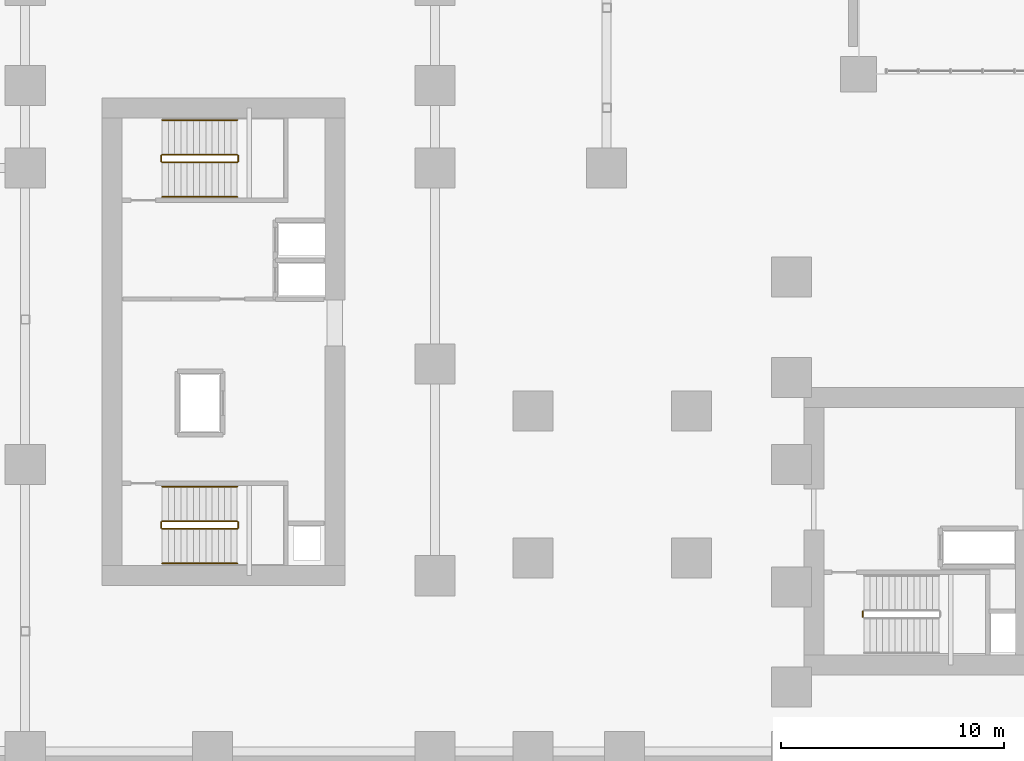
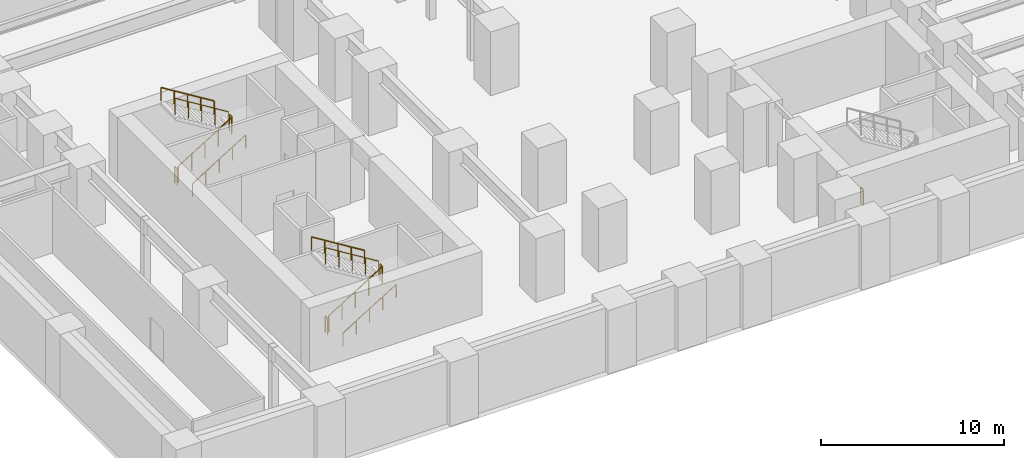
# One storey, part 16 of 18: 13 railings.
"""IFC4 building model written with IfcOpenShell, lengths in metres."""

from ifc_helpers import new_model, si_unit, direction, frame, origin, origin_2d, place, context, subcontext, project, spatial, circle, extrude, source, transform, mapped, material, layer, layer_set, type_object, element, save


model = new_model("IFC4")

# Units and contexts
model_context = context("Model", 3, precision=1e-05, world=origin(), true_north=direction((0.0, 1.0)))
body_context = subcontext(model_context, "Body", "Model", "MODEL_VIEW")
ifc_project = project(units=[si_unit("LENGTHUNIT", "METRE"), si_unit("AREAUNIT", "SQUARE_METRE"), si_unit("VOLUMEUNIT", "CUBIC_METRE"), si_unit("PLANEANGLEUNIT", "RADIAN"), si_unit("MASSUNIT", "GRAM", prefix="KILO")], contexts=[model_context])

# Site, building, storey
site_placement = place(None, origin())
site = spatial("IfcSite", under=ifc_project, at=site_placement, CompositionType="ELEMENT")
building_placement = place(site_placement, origin())
building = spatial("IfcBuilding", under=site, at=building_placement, Name="Kharzan Plaza Tower", CompositionType="ELEMENT")
storey_placement = place(building_placement, frame((0.0, 0.0, -4.5)))
storey = spatial("IfcBuildingStorey", under=building, at=storey_placement, Name="B01", CompositionType="ELEMENT", Elevation=-4.5)

# Railings
ifc_material_1 = material(Name="Painted Galvanized Architectural Steel", Category="steel")
ifc_layer_1 = layer(ifc_material_1, 0.074951171875)
ifc_layer_set_1 = layer_set([ifc_layer_1], Name="Painted Galvanized Architectural Steel")
railing_type_1 = type_object("IfcRailingType", Name="RL-GUARD-1120", PredefinedType="BALUSTRADE", material=ifc_layer_set_1)
shared_shape_1 = source(origin(), body_context, "Body", "SweptSolid", [
    extrude(circle(Radius=0.02392578125, at=origin_2d()), frame((0.0224609375, 0.0, 1.10986328125), z_axis=(0.850623216509, 0.0, 0.525775754039), x_axis=(0.0, 1.0, 0.0)), (0.0, 0.0, 1.0), 3.897216796875),
    extrude(circle(Radius=0.02099609375, at=origin_2d()), origin(), (0.0, 0.0, 1.0), 1.072021484375),
    extrude(circle(Radius=0.02099609375, at=origin_2d()), frame((0.840087890625, 0.0, 0.519287109375)), (0.0, 0.0, 1.0), 1.072021484375),
    extrude(circle(Radius=0.02099609375, at=origin_2d()), frame((1.68017578125, 0.0, 1.03857421875)), (0.0, 0.0, 1.0), 1.072021484375),
    extrude(circle(Radius=0.02099609375, at=origin_2d()), frame((2.52001953125, 0.0, 1.5576171875)), (0.0, 0.0, 1.0), 1.072021484375),
    extrude(circle(Radius=0.02099609375, at=origin_2d()), frame((3.360107421875, 0.0, 2.076904296875)), (0.0, 0.0, 1.0), 1.072021484375),
])
for number, where, name in (
    (1, (6.75, 10.60009765625, 0.173095703125), "B01 ST-1 stair guard 1"),
    (2, (6.75, 27.050048828125, 0.173095703125), "B01 ST-2 stair guard 1"),
):
    element("IfcRailing", number, at=place(storey_placement, frame(where)), inside=storey, type_object=railing_type_1, Name=name, PredefinedType="BALUSTRADE", context=body_context, shape_type="MappedRepresentation", body=[
        mapped(shared_shape_1, transform((0.0, 0.0, 0.0), x_axis=(1.0, 0.0, 0.0), y_axis=(0.0, 1.0, 0.0), z_axis=(0.0, 0.0, 1.0))),
    ])
shared_shape_2 = source(origin(), body_context, "Body", "SweptSolid", [
    extrude(circle(Radius=0.02392578125, at=origin_2d()), frame((0.0, 0.0263671875, 1.09619140625), z_axis=(0.0, 1.0, 0.0), x_axis=(-1.0, 0.0, 0.0)), (0.0, 0.0, 1.0), 0.197021484375),
    extrude(circle(Radius=0.02099609375, at=origin_2d()), origin(), (0.0, 0.0, 1.0), 1.072021484375),
    extrude(circle(Radius=0.02099609375, at=origin_2d()), frame((0.0, 0.25, 0.0)), (0.0, 0.0, 1.0), 1.072021484375),
])
for number, where, name in (
    (3, (10.159912109375, 10.64990234375, 2.25), "B01 ST-1 stair guard 2"),
    (4, (6.699951171875, 10.64990234375, 0.0), "B01 ST-1 stair guard 4"),
    (5, (10.159912109375, 27.10009765625, 2.25), "B01 ST-2 stair guard 2"),
    (6, (6.699951171875, 27.10009765625, 0.0), "B01 ST-2 stair guard 4"),
    (7, (38.199951171875, 6.64990234375, 0.0), "B01 ST-3 stair guard 4"),
):
    element("IfcRailing", number, at=place(storey_placement, frame(where)), inside=storey, type_object=railing_type_1, Name=name, PredefinedType="BALUSTRADE", context=body_context, shape_type="MappedRepresentation", body=[
        mapped(shared_shape_2, transform((0.0, 0.0, 0.0), x_axis=(1.0, 0.0, 0.0), y_axis=(0.0, 1.0, 0.0), z_axis=(0.0, 0.0, 1.0))),
    ])
shared_shape_3 = source(origin(), body_context, "Body", "SweptSolid", [
    extrude(circle(Radius=0.02392578125, at=origin_2d()), frame((-0.0224609375, 0.0, 1.10986328125), z_axis=(-0.850623216509, 0.0, 0.525775754039), x_axis=(0.0, -1.0, 0.0)), (0.0, 0.0, 1.0), 3.897216796875),
    extrude(circle(Radius=0.02099609375, at=origin_2d()), origin(), (0.0, 0.0, 1.0), 1.072021484375),
    extrude(circle(Radius=0.02099609375, at=origin_2d()), frame((-0.840087890625, 0.0, 0.519287109375)), (0.0, 0.0, 1.0), 1.072021484375),
    extrude(circle(Radius=0.02099609375, at=origin_2d()), frame((-1.68017578125, 0.0, 1.03857421875)), (0.0, 0.0, 1.0), 1.072021484375),
    extrude(circle(Radius=0.02099609375, at=origin_2d()), frame((-2.52001953125, 0.0, 1.5576171875)), (0.0, 0.0, 1.0), 1.072021484375),
    extrude(circle(Radius=0.02099609375, at=origin_2d()), frame((-3.360107421875, 0.0, 2.076904296875)), (0.0, 0.0, 1.0), 1.072021484375),
])
for number, where, name in (
    (8, (10.110107421875, 10.949951171875, 2.423095703125), "B01 ST-1 stair guard 3"),
    (9, (10.110107421875, 27.39990234375, 2.423095703125), "B01 ST-2 stair guard 3"),
):
    element("IfcRailing", number, at=place(storey_placement, frame(where)), inside=storey, type_object=railing_type_1, Name=name, PredefinedType="BALUSTRADE", context=body_context, shape_type="MappedRepresentation", body=[
        mapped(shared_shape_3, transform((0.0, 0.0, 0.0), x_axis=(1.0, 0.0, 0.0), y_axis=(0.0, 1.0, 0.0), z_axis=(0.0, 0.0, 1.0))),
    ])
ifc_material_2 = material(Name="Brushed Stainless Steel", Category="steel")
ifc_layer_2 = layer(ifc_material_2, 0.050048828125)
ifc_layer_set_2 = layer_set([ifc_layer_2], Name="Brushed Stainless Steel")
railing_type_2 = type_object("IfcRailingType", Name="RL-STAIR-HR920", PredefinedType="HANDRAIL", material=ifc_layer_set_2)
shared_shape_4 = source(origin(), body_context, "Body", "SweptSolid", [
    extrude(circle(Radius=0.02392578125, at=origin_2d()), frame((0.0224609375, 0.0, 0.8896484375), z_axis=(0.850623216509, 0.0, 0.525775754039), x_axis=(0.0, 1.0, 0.0)), (0.0, 0.0, 1.0), 3.897216796875),
    extrude(circle(Radius=0.02099609375, at=origin_2d()), origin(), (0.0, 0.0, 1.0), 0.851806640625),
    extrude(circle(Radius=0.02099609375, at=origin_2d()), frame((0.840087890625, 0.0, 0.519287109375)), (0.0, 0.0, 1.0), 0.851806640625),
    extrude(circle(Radius=0.02099609375, at=origin_2d()), frame((1.68017578125, 0.0, 1.03857421875)), (0.0, 0.0, 1.0), 0.851806640625),
    extrude(circle(Radius=0.02099609375, at=origin_2d()), frame((2.52001953125, 0.0, 1.5576171875)), (0.0, 0.0, 1.0), 0.851806640625),
    extrude(circle(Radius=0.02099609375, at=origin_2d()), frame((3.360107421875, 0.0, 2.076904296875)), (0.0, 0.0, 1.0), 0.851806640625),
])
for number, where, name in (
    (10, (6.75, 9.050048828125, 0.173095703125), "B01 ST-1 stair handrail 1"),
    (11, (6.75, 25.5, 0.173095703125), "B01 ST-2 stair handrail 1"),
):
    element("IfcRailing", number, at=place(storey_placement, frame(where)), inside=storey, type_object=railing_type_2, Name=name, PredefinedType="HANDRAIL", context=body_context, shape_type="MappedRepresentation", body=[
        mapped(shared_shape_4, transform((0.0, 0.0, 0.0), x_axis=(1.0, 0.0, 0.0), y_axis=(0.0, 1.0, 0.0), z_axis=(0.0, 0.0, 1.0))),
    ])
shared_shape_5 = source(origin(), body_context, "Body", "SweptSolid", [
    extrude(circle(Radius=0.02392578125, at=origin_2d()), frame((-0.0224609375, 0.0, 0.8896484375), z_axis=(-0.850623216509, 0.0, 0.525775754039), x_axis=(0.0, -1.0, 0.0)), (0.0, 0.0, 1.0), 3.897216796875),
    extrude(circle(Radius=0.02099609375, at=origin_2d()), origin(), (0.0, 0.0, 1.0), 0.851806640625),
    extrude(circle(Radius=0.02099609375, at=origin_2d()), frame((-0.840087890625, 0.0, 0.519287109375)), (0.0, 0.0, 1.0), 0.851806640625),
    extrude(circle(Radius=0.02099609375, at=origin_2d()), frame((-1.68017578125, 0.0, 1.03857421875)), (0.0, 0.0, 1.0), 0.851806640625),
    extrude(circle(Radius=0.02099609375, at=origin_2d()), frame((-2.52001953125, 0.0, 1.5576171875)), (0.0, 0.0, 1.0), 0.851806640625),
    extrude(circle(Radius=0.02099609375, at=origin_2d()), frame((-3.360107421875, 0.0, 2.076904296875)), (0.0, 0.0, 1.0), 0.851806640625),
])
for number, where, name in (
    (12, (10.110107421875, 12.5, 2.423095703125), "B01 ST-1 stair handrail 2"),
    (13, (10.110107421875, 28.949951171875, 2.423095703125), "B01 ST-2 stair handrail 2"),
):
    element("IfcRailing", number, at=place(storey_placement, frame(where)), inside=storey, type_object=railing_type_2, Name=name, PredefinedType="HANDRAIL", context=body_context, shape_type="MappedRepresentation", body=[
        mapped(shared_shape_5, transform((0.0, 0.0, 0.0), x_axis=(1.0, 0.0, 0.0), y_axis=(0.0, 1.0, 0.0), z_axis=(0.0, 0.0, 1.0))),
    ])

save(model, "model.ifc")
